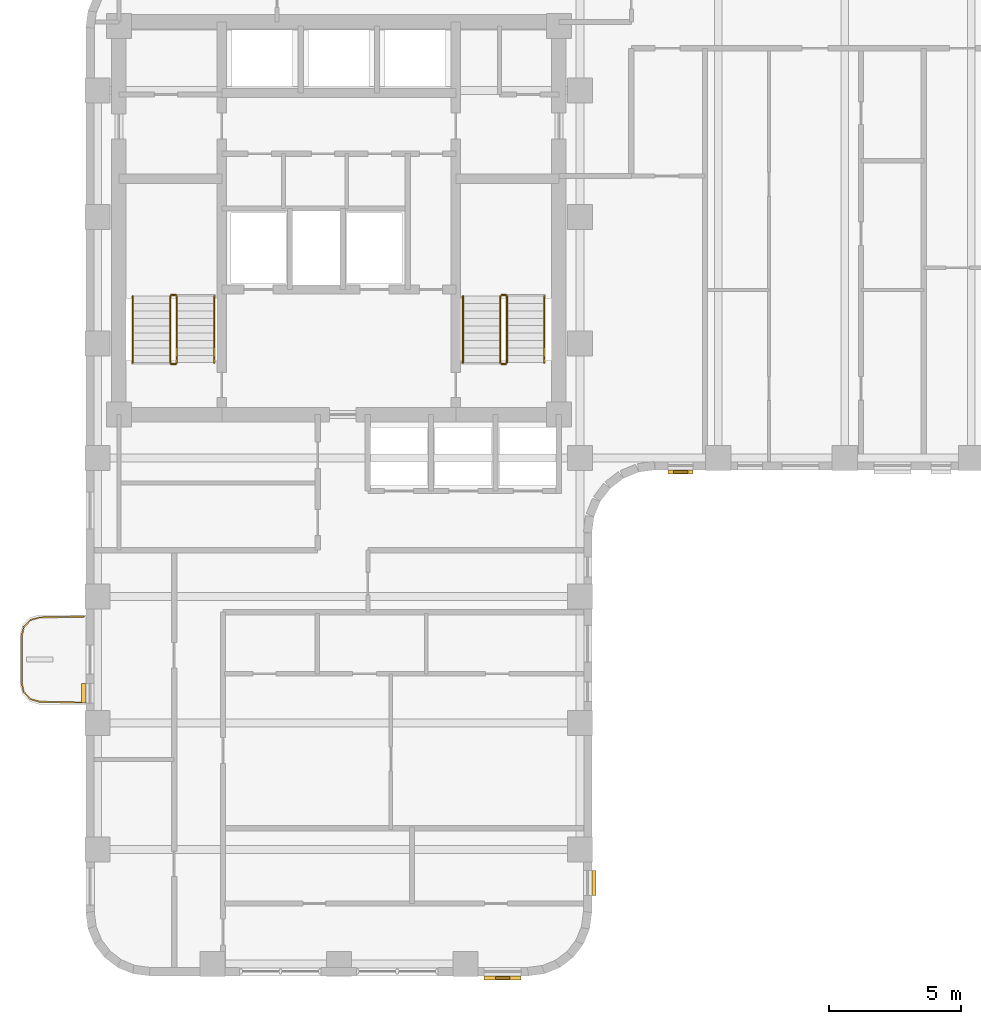
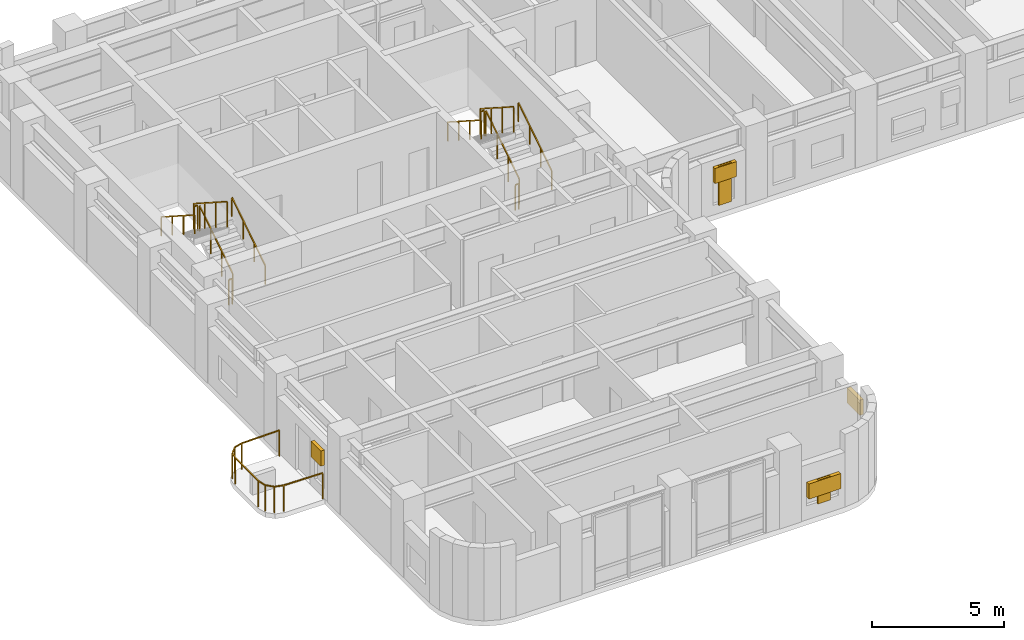
# One storey, part 9 of 11: 13 railings, 6 shading devices.
"""IFC4 building model written with IfcOpenShell, lengths in metres."""

from ifc_helpers import new_model, si_unit, direction, frame, origin, origin_2d, place, context, subcontext, project, spatial, rectangle, extrude, material, type_object, element, save


model = new_model("IFC4")

# Units and contexts
model_context = context("Model", 3, precision=1e-05, world=origin(), true_north=direction((0.0, 1.0)))
body_context = subcontext(model_context, "Body", "Model", "MODEL_VIEW")
ifc_project = project(units=[si_unit("LENGTHUNIT", "METRE"), si_unit("AREAUNIT", "SQUARE_METRE"), si_unit("VOLUMEUNIT", "CUBIC_METRE"), si_unit("PLANEANGLEUNIT", "RADIAN"), si_unit("MASSUNIT", "GRAM", prefix="KILO")], contexts=[model_context])

# Site, building, storey
site_placement = place(None, origin())
site = spatial("IfcSite", under=ifc_project, at=site_placement, CompositionType="ELEMENT")
building_placement = place(site_placement, origin())
building = spatial("IfcBuilding", under=site, at=building_placement, Name="Orvandelia Arch Residences", CompositionType="ELEMENT")
storey_placement = place(building_placement, frame((0.0, 0.0, 146.800048828125)))
storey = spatial("IfcBuildingStorey", under=building, at=storey_placement, Name="L38", CompositionType="ELEMENT", Elevation=146.800048828125)

# Railings
ifc_material_1 = material(Name="Marine-Grade Stainless Steel 316", Category="steel")
railing_type_1 = type_object("IfcRailingType", Name="GRD-BAL-1200", PredefinedType="BALUSTRADE", material=ifc_material_1)
railing_1_placement = place(storey_placement, frame((4.728271484375, 23.23046875, 0.0)))
element("IfcRailing", 1, at=railing_1_placement, inside=storey, type_object=railing_type_1, Name="Safety Balustrade Guard GRD-L38-BAL-L38-W1-1", PredefinedType="BALUSTRADE", context=body_context, shape_type="SweptSolid", body=[
    extrude(rectangle(XDim=0.048095703125, YDim=0.048095703125, at=origin_2d()), frame((0.0, 0.0, 1.19580078125), z_axis=(-0.999834751713, -0.018178813668, 0.0), x_axis=(0.018178813668, -0.999834751713, 0.0)), (0.0, 0.0, 1.0), 1.6787109375),
    extrude(rectangle(XDim=0.048095703125, YDim=0.048095703125, at=origin_2d()), frame((-1.678466796875, -0.030517578125, 1.19580078125), z_axis=(-0.96348920644, -0.267747173792, 0.0), x_axis=(0.267747173792, -0.96348920644, 0.0)), (0.0, 0.0, 1.0), 0.36572265625),
    extrude(rectangle(XDim=0.048095703125, YDim=0.048095703125, at=origin_2d()), frame((-2.03076171875, -0.12841796875, 1.19580078125), z_axis=(-0.688627404251, -0.725115368831, 0.0), x_axis=(0.725115368831, -0.688627404251, 0.0)), (0.0, 0.0, 1.0), 0.367919921875),
    extrude(rectangle(XDim=0.048095703125, YDim=0.048095703125, at=origin_2d()), frame((-2.2841796875, -0.395263671875, 1.19580078125), z_axis=(-0.220461657419, -0.975395641577, 0.0), x_axis=(0.975395641577, -0.220461657419, 0.0)), (0.0, 0.0, 1.0), 0.373291015625),
    extrude(rectangle(XDim=0.048095703125, YDim=0.048095703125, at=origin_2d()), frame((-2.366455078125, -0.75927734375, 1.19580078125), z_axis=(0.0, -1.0, 0.0), x_axis=(1.0, 0.0, 0.0)), (0.0, 0.0, 1.0), 1.742431640625),
    extrude(rectangle(XDim=0.048095703125, YDim=0.048095703125, at=origin_2d()), frame((-2.366455078125, -2.501708984375, 1.19580078125), z_axis=(0.220602419982, -0.975363815352, 0.0), x_axis=(0.975363815352, 0.220602419982, 0.0)), (0.0, 0.0, 1.0), 0.373046875),
    extrude(rectangle(XDim=0.048095703125, YDim=0.048095703125, at=origin_2d()), frame((-2.2841796875, -2.865478515625, 1.19580078125), z_axis=(0.688296224633, -0.725429739642, 0.0), x_axis=(0.725429739642, 0.688296224633, 0.0)), (0.0, 0.0, 1.0), 0.3681640625),
    extrude(rectangle(XDim=0.048095703125, YDim=0.048095703125, at=origin_2d()), frame((-2.03076171875, -3.132568359375, 1.19580078125), z_axis=(0.96348920644, -0.267747173792, 0.0), x_axis=(0.267747173792, 0.96348920644, 0.0)), (0.0, 0.0, 1.0), 0.36572265625),
    extrude(rectangle(XDim=0.048095703125, YDim=0.048095703125, at=origin_2d()), frame((-1.678466796875, -3.23046875, 1.19580078125), z_axis=(0.999834751713, -0.018178813668, 0.0), x_axis=(0.018178813668, 0.999834751713, 0.0)), (0.0, 0.0, 1.0), 1.6787109375),
    extrude(rectangle(XDim=0.0419921875, YDim=0.0419921875, at=origin_2d()), origin(), (0.0, 0.0, 1.0), 1.171875),
    extrude(rectangle(XDim=0.0419921875, YDim=0.0419921875, at=origin_2d()), frame((-1.678466796875, -0.030517578125, 0.0)), (0.0, 0.0, 1.0), 1.171875),
    extrude(rectangle(XDim=0.0419921875, YDim=0.0419921875, at=origin_2d()), frame((-2.03076171875, -0.12841796875, 0.0)), (0.0, 0.0, 1.0), 1.171875),
    extrude(rectangle(XDim=0.0419921875, YDim=0.0419921875, at=origin_2d()), frame((-2.2841796875, -0.395263671875, 0.0)), (0.0, 0.0, 1.0), 1.171875),
    extrude(rectangle(XDim=0.0419921875, YDim=0.0419921875, at=origin_2d()), frame((-2.366455078125, -0.75927734375, 0.0)), (0.0, 0.0, 1.0), 1.171875),
    extrude(rectangle(XDim=0.0419921875, YDim=0.0419921875, at=origin_2d()), frame((-2.366455078125, -2.501708984375, 0.0)), (0.0, 0.0, 1.0), 1.171875),
    extrude(rectangle(XDim=0.0419921875, YDim=0.0419921875, at=origin_2d()), frame((-2.2841796875, -2.865478515625, 0.0)), (0.0, 0.0, 1.0), 1.171875),
    extrude(rectangle(XDim=0.0419921875, YDim=0.0419921875, at=origin_2d()), frame((-2.03076171875, -3.132568359375, 0.0)), (0.0, 0.0, 1.0), 1.171875),
    extrude(rectangle(XDim=0.0419921875, YDim=0.0419921875, at=origin_2d()), frame((-1.678466796875, -3.23046875, 0.0)), (0.0, 0.0, 1.0), 1.171875),
    extrude(rectangle(XDim=0.0419921875, YDim=0.0419921875, at=origin_2d()), frame((0.0, -3.260986328125, 0.0)), (0.0, 0.0, 1.0), 1.171875),
])
ifc_material_2 = material(Name="Brushed Stainless Steel 304", Category="steel")
railing_type_2 = type_object("IfcRailingType", Name="RL-STAIR-GD1120", PredefinedType="GUARDRAIL", material=ifc_material_2)
railing_2_placement = place(storey_placement, frame((8.25, 32.8701171875, 0.179931640625)))
element("IfcRailing", 2, at=railing_2_placement, inside=storey, type_object=railing_type_2, Name="L38 ST-1 stair guard 1", PredefinedType="GUARDRAIL", context=body_context, shape_type="SweptSolid", body=[
    extrude(rectangle(XDim=0.048095703125, YDim=0.048095703125, at=origin_2d()), frame((0.0, 0.0, 1.17578125), z_axis=(0.0, 0.841138753965, 0.540819375188), x_axis=(-1.0, 0.0, 0.0)), (0.0, 0.0, 1.0), 2.99560546875),
    extrude(rectangle(XDim=0.0419921875, YDim=0.0419921875, at=origin_2d()), origin(), (0.0, 0.0, 1.0), 1.15185546875),
    extrude(rectangle(XDim=0.0419921875, YDim=0.0419921875, at=origin_2d()), frame((0.0, 0.83984375, 0.5400390625)), (0.0, 0.0, 1.0), 1.15185546875),
    extrude(rectangle(XDim=0.0419921875, YDim=0.0419921875, at=origin_2d()), frame((0.0, 1.679931640625, 1.080078125)), (0.0, 0.0, 1.0), 1.15185546875),
    extrude(rectangle(XDim=0.0419921875, YDim=0.0419921875, at=origin_2d()), frame((0.0, 2.519775390625, 1.6201171875)), (0.0, 0.0, 1.0), 1.15185546875),
])
railing_3_placement = place(storey_placement, frame((8.199951171875, 35.43994140625, 1.800048828125)))
element("IfcRailing", 3, at=railing_3_placement, inside=storey, type_object=railing_type_2, Name="L38 ST-1 stair guard 2", PredefinedType="GUARDRAIL", context=body_context, shape_type="SweptSolid", body=[
    extrude(rectangle(XDim=0.048095703125, YDim=0.048095703125, at=origin_2d()), frame((0.0, 0.0, 1.17578125), z_axis=(-1.0, 0.0, 0.0), x_axis=(0.0, -1.0, 0.0)), (0.0, 0.0, 1.0), 0.14990234375),
    extrude(rectangle(XDim=0.0419921875, YDim=0.0419921875, at=origin_2d()), origin(), (0.0, 0.0, 1.0), 1.15185546875),
    extrude(rectangle(XDim=0.0419921875, YDim=0.0419921875, at=origin_2d()), frame((-0.14990234375, 0.0, 0.0)), (0.0, 0.0, 1.0), 1.15185546875),
])
railing_4_placement = place(storey_placement, frame((8.0, 35.389892578125, 1.97998046875)))
element("IfcRailing", 4, at=railing_4_placement, inside=storey, type_object=railing_type_2, Name="L38 ST-1 stair guard 3", PredefinedType="GUARDRAIL", context=body_context, shape_type="SweptSolid", body=[
    extrude(rectangle(XDim=0.048095703125, YDim=0.048095703125, at=origin_2d()), frame((0.0, 0.0, 1.17578125), z_axis=(0.0, -0.841175827307, 0.540761710511), x_axis=(1.0, 0.0, 0.0)), (0.0, 0.0, 1.0), 2.99560546875),
    extrude(rectangle(XDim=0.0419921875, YDim=0.0419921875, at=origin_2d()), origin(), (0.0, 0.0, 1.0), 1.15185546875),
    extrude(rectangle(XDim=0.0419921875, YDim=0.0419921875, at=origin_2d()), frame((0.0, -0.83984375, 0.5400390625)), (0.0, 0.0, 1.0), 1.15185546875),
    extrude(rectangle(XDim=0.0419921875, YDim=0.0419921875, at=origin_2d()), frame((0.0, -1.679931640625, 1.079833984375)), (0.0, 0.0, 1.0), 1.15185546875),
    extrude(rectangle(XDim=0.0419921875, YDim=0.0419921875, at=origin_2d()), frame((0.0, -2.519775390625, 1.619873046875)), (0.0, 0.0, 1.0), 1.15185546875),
])
railing_5_placement = place(storey_placement, frame((8.199951171875, 32.820068359375, 0.0)))
element("IfcRailing", 5, at=railing_5_placement, inside=storey, type_object=railing_type_2, Name="L38 ST-1 stair guard 4", PredefinedType="GUARDRAIL", context=body_context, shape_type="SweptSolid", body=[
    extrude(rectangle(XDim=0.048095703125, YDim=0.048095703125, at=origin_2d()), frame((0.0, 0.0, 1.17578125), z_axis=(-1.0, 0.0, 0.0), x_axis=(0.0, -1.0, 0.0)), (0.0, 0.0, 1.0), 0.14990234375),
    extrude(rectangle(XDim=0.0419921875, YDim=0.0419921875, at=origin_2d()), origin(), (0.0, 0.0, 1.0), 1.15185546875),
    extrude(rectangle(XDim=0.0419921875, YDim=0.0419921875, at=origin_2d()), frame((-0.14990234375, 0.0, 0.0)), (0.0, 0.0, 1.0), 1.15185546875),
])
railing_6_placement = place(storey_placement, frame((20.780029296875, 32.8701171875, 0.179931640625)))
element("IfcRailing", 6, at=railing_6_placement, inside=storey, type_object=railing_type_2, Name="L38 ST-2 stair guard 1", PredefinedType="GUARDRAIL", context=body_context, shape_type="SweptSolid", body=[
    extrude(rectangle(XDim=0.048095703125, YDim=0.048095703125, at=origin_2d()), frame((0.0, 0.0, 1.17578125), z_axis=(0.0, 0.841138753965, 0.540819375188), x_axis=(-1.0, 0.0, 0.0)), (0.0, 0.0, 1.0), 2.99560546875),
    extrude(rectangle(XDim=0.0419921875, YDim=0.0419921875, at=origin_2d()), origin(), (0.0, 0.0, 1.0), 1.15185546875),
    extrude(rectangle(XDim=0.0419921875, YDim=0.0419921875, at=origin_2d()), frame((0.0, 0.83984375, 0.5400390625)), (0.0, 0.0, 1.0), 1.15185546875),
    extrude(rectangle(XDim=0.0419921875, YDim=0.0419921875, at=origin_2d()), frame((0.0, 1.679931640625, 1.080078125)), (0.0, 0.0, 1.0), 1.15185546875),
    extrude(rectangle(XDim=0.0419921875, YDim=0.0419921875, at=origin_2d()), frame((0.0, 2.519775390625, 1.6201171875)), (0.0, 0.0, 1.0), 1.15185546875),
])
railing_7_placement = place(storey_placement, frame((20.72998046875, 35.43994140625, 1.800048828125)))
element("IfcRailing", 7, at=railing_7_placement, inside=storey, type_object=railing_type_2, Name="L38 ST-2 stair guard 2", PredefinedType="GUARDRAIL", context=body_context, shape_type="SweptSolid", body=[
    extrude(rectangle(XDim=0.048095703125, YDim=0.048095703125, at=origin_2d()), frame((0.0, 0.0, 1.17578125), z_axis=(-1.0, 0.0, 0.0), x_axis=(0.0, -1.0, 0.0)), (0.0, 0.0, 1.0), 0.14990234375),
    extrude(rectangle(XDim=0.0419921875, YDim=0.0419921875, at=origin_2d()), origin(), (0.0, 0.0, 1.0), 1.15185546875),
    extrude(rectangle(XDim=0.0419921875, YDim=0.0419921875, at=origin_2d()), frame((-0.14990234375, 0.0, 0.0)), (0.0, 0.0, 1.0), 1.15185546875),
])
railing_8_placement = place(storey_placement, frame((20.530029296875, 35.389892578125, 1.97998046875)))
element("IfcRailing", 8, at=railing_8_placement, inside=storey, type_object=railing_type_2, Name="L38 ST-2 stair guard 3", PredefinedType="GUARDRAIL", context=body_context, shape_type="SweptSolid", body=[
    extrude(rectangle(XDim=0.048095703125, YDim=0.048095703125, at=origin_2d()), frame((0.0, 0.0, 1.17578125), z_axis=(0.0, -0.841175827307, 0.540761710511), x_axis=(1.0, 0.0, 0.0)), (0.0, 0.0, 1.0), 2.99560546875),
    extrude(rectangle(XDim=0.0419921875, YDim=0.0419921875, at=origin_2d()), origin(), (0.0, 0.0, 1.0), 1.15185546875),
    extrude(rectangle(XDim=0.0419921875, YDim=0.0419921875, at=origin_2d()), frame((0.0, -0.83984375, 0.5400390625)), (0.0, 0.0, 1.0), 1.15185546875),
    extrude(rectangle(XDim=0.0419921875, YDim=0.0419921875, at=origin_2d()), frame((0.0, -1.679931640625, 1.079833984375)), (0.0, 0.0, 1.0), 1.15185546875),
    extrude(rectangle(XDim=0.0419921875, YDim=0.0419921875, at=origin_2d()), frame((0.0, -2.519775390625, 1.619873046875)), (0.0, 0.0, 1.0), 1.15185546875),
])
railing_9_placement = place(storey_placement, frame((20.72998046875, 32.820068359375, 0.0)))
element("IfcRailing", 9, at=railing_9_placement, inside=storey, type_object=railing_type_2, Name="L38 ST-2 stair guard 4", PredefinedType="GUARDRAIL", context=body_context, shape_type="SweptSolid", body=[
    extrude(rectangle(XDim=0.048095703125, YDim=0.048095703125, at=origin_2d()), frame((0.0, 0.0, 1.17578125), z_axis=(-1.0, 0.0, 0.0), x_axis=(0.0, -1.0, 0.0)), (0.0, 0.0, 1.0), 0.14990234375),
    extrude(rectangle(XDim=0.0419921875, YDim=0.0419921875, at=origin_2d()), origin(), (0.0, 0.0, 1.0), 1.15185546875),
    extrude(rectangle(XDim=0.0419921875, YDim=0.0419921875, at=origin_2d()), frame((-0.14990234375, 0.0, 0.0)), (0.0, 0.0, 1.0), 1.15185546875),
])
railing_type_3 = type_object("IfcRailingType", Name="RL-STAIR-HR920", PredefinedType="HANDRAIL", material=ifc_material_2)
railing_10_placement = place(storey_placement, frame((9.669921875, 32.8701171875, 0.35986328125)))
element("IfcRailing", 10, at=railing_10_placement, inside=storey, type_object=railing_type_3, Name="L38 ST-1 stair handrail 1", PredefinedType="HANDRAIL", context=body_context, shape_type="SweptSolid", body=[
    extrude(rectangle(XDim=0.048095703125, YDim=0.048095703125, at=origin_2d()), frame((0.0, 0.0, 0.8759765625), z_axis=(0.0, 0.841138753965, 0.540819375188), x_axis=(-1.0, 0.0, 0.0)), (0.0, 0.0, 1.0), 2.99560546875),
    extrude(rectangle(XDim=0.0419921875, YDim=0.0419921875, at=origin_2d()), origin(), (0.0, 0.0, 1.0), 0.851806640625),
    extrude(rectangle(XDim=0.0419921875, YDim=0.0419921875, at=origin_2d()), frame((0.0, 0.83984375, 0.5400390625)), (0.0, 0.0, 1.0), 0.851806640625),
    extrude(rectangle(XDim=0.0419921875, YDim=0.0419921875, at=origin_2d()), frame((0.0, 1.679931640625, 1.080078125)), (0.0, 0.0, 1.0), 0.851806640625),
    extrude(rectangle(XDim=0.0419921875, YDim=0.0419921875, at=origin_2d()), frame((0.0, 2.519775390625, 1.6201171875)), (0.0, 0.0, 1.0), 0.851806640625),
])
railing_11_placement = place(storey_placement, frame((6.580078125, 35.389892578125, 2.159912109375)))
element("IfcRailing", 11, at=railing_11_placement, inside=storey, type_object=railing_type_3, Name="L38 ST-1 stair handrail 2", PredefinedType="HANDRAIL", context=body_context, shape_type="SweptSolid", body=[
    extrude(rectangle(XDim=0.048095703125, YDim=0.048095703125, at=origin_2d()), frame((0.0, 0.0, 0.8759765625), z_axis=(0.0, -0.841138753965, 0.540819375188), x_axis=(1.0, 0.0, 0.0)), (0.0, 0.0, 1.0), 2.99560546875),
    extrude(rectangle(XDim=0.0419921875, YDim=0.0419921875, at=origin_2d()), origin(), (0.0, 0.0, 1.0), 0.851806640625),
    extrude(rectangle(XDim=0.0419921875, YDim=0.0419921875, at=origin_2d()), frame((0.0, -0.83984375, 0.5400390625)), (0.0, 0.0, 1.0), 0.851806640625),
    extrude(rectangle(XDim=0.0419921875, YDim=0.0419921875, at=origin_2d()), frame((0.0, -1.679931640625, 1.080078125)), (0.0, 0.0, 1.0), 0.851806640625),
    extrude(rectangle(XDim=0.0419921875, YDim=0.0419921875, at=origin_2d()), frame((0.0, -2.519775390625, 1.6201171875)), (0.0, 0.0, 1.0), 0.851806640625),
])
railing_12_placement = place(storey_placement, frame((22.199951171875, 32.8701171875, 0.35986328125)))
element("IfcRailing", 12, at=railing_12_placement, inside=storey, type_object=railing_type_3, Name="L38 ST-2 stair handrail 1", PredefinedType="HANDRAIL", context=body_context, shape_type="SweptSolid", body=[
    extrude(rectangle(XDim=0.048095703125, YDim=0.048095703125, at=origin_2d()), frame((0.0, 0.0, 0.8759765625), z_axis=(0.0, 0.841138753965, 0.540819375188), x_axis=(-1.0, 0.0, 0.0)), (0.0, 0.0, 1.0), 2.99560546875),
    extrude(rectangle(XDim=0.0419921875, YDim=0.0419921875, at=origin_2d()), origin(), (0.0, 0.0, 1.0), 0.851806640625),
    extrude(rectangle(XDim=0.0419921875, YDim=0.0419921875, at=origin_2d()), frame((0.0, 0.83984375, 0.5400390625)), (0.0, 0.0, 1.0), 0.851806640625),
    extrude(rectangle(XDim=0.0419921875, YDim=0.0419921875, at=origin_2d()), frame((0.0, 1.679931640625, 1.080078125)), (0.0, 0.0, 1.0), 0.851806640625),
    extrude(rectangle(XDim=0.0419921875, YDim=0.0419921875, at=origin_2d()), frame((0.0, 2.519775390625, 1.6201171875)), (0.0, 0.0, 1.0), 0.851806640625),
])
railing_13_placement = place(storey_placement, frame((19.110107421875, 35.389892578125, 2.159912109375)))
element("IfcRailing", 13, at=railing_13_placement, inside=storey, type_object=railing_type_3, Name="L38 ST-2 stair handrail 2", PredefinedType="HANDRAIL", context=body_context, shape_type="SweptSolid", body=[
    extrude(rectangle(XDim=0.048095703125, YDim=0.048095703125, at=origin_2d()), frame((0.0, 0.0, 0.8759765625), z_axis=(0.0, -0.841138753965, 0.540819375188), x_axis=(1.0, 0.0, 0.0)), (0.0, 0.0, 1.0), 2.99560546875),
    extrude(rectangle(XDim=0.0419921875, YDim=0.0419921875, at=origin_2d()), origin(), (0.0, 0.0, 1.0), 0.851806640625),
    extrude(rectangle(XDim=0.0419921875, YDim=0.0419921875, at=origin_2d()), frame((0.0, -0.83984375, 0.5400390625)), (0.0, 0.0, 1.0), 0.851806640625),
    extrude(rectangle(XDim=0.0419921875, YDim=0.0419921875, at=origin_2d()), frame((0.0, -1.679931640625, 1.080078125)), (0.0, 0.0, 1.0), 0.851806640625),
    extrude(rectangle(XDim=0.0419921875, YDim=0.0419921875, at=origin_2d()), frame((0.0, -2.519775390625, 1.6201171875)), (0.0, 0.0, 1.0), 0.851806640625),
])

# Shading devices
ifc_material_3 = material(Name="Anodised Champagne-Bronze Extruded Aluminium", Category="aluminium")
shading_device_type_1 = type_object("IfcShadingDeviceType", Name="SHD-JALOUSIE-SCREEN", PredefinedType="JALOUSIE", material=ifc_material_3)
for number, where, z_axis, x_axis, name in (
    (14, (27.3701171875, 28.719970703125, 1.5498046875), (0.0, 0.0, 1.0), (-1.0, 0.0, 0.0), "Bronze Jalousie Sun-Shade L38-003"),
    (15, (24.080078125, 13.12353515625, 1.5498046875), (0.0, 0.0, 1.0), (0.0, -1.0, 0.0), "Bronze Jalousie Sun-Shade L38-005"),
):
    element("IfcShadingDevice", number, at=place(storey_placement, frame(where, z_axis=z_axis, x_axis=x_axis)), inside=storey, type_object=shading_device_type_1, Name=name, PredefinedType="JALOUSIE", context=body_context, shape_type="SweptSolid", body=[
        extrude(rectangle(XDim=0.949951171875, YDim=0.159912109375, at=origin_2d()), origin(), (0.0, 0.0, 1.0), 0.699951171875),
    ])
shading_device_1_placement = place(storey_placement, frame((20.617431640625, 9.52001953125, 1.0498046875), z_axis=(0.0, 0.0, 1.0), x_axis=(-1.0, 0.0, 0.0)))
element("IfcShadingDevice", 16, at=shading_device_1_placement, inside=storey, type_object=shading_device_type_1, Name="Bronze Jalousie Sun-Shade L38-006", PredefinedType="JALOUSIE", context=body_context, shape_type="SweptSolid", body=[
    extrude(rectangle(XDim=1.39990234375, YDim=0.159912109375, at=origin_2d()), origin(), (0.0, 0.0, 1.0), 0.699951171875),
])
shading_device_2_placement = place(storey_placement, frame((4.719970703125, 20.322509765625, 1.5498046875), z_axis=(0.0, 0.0, 1.0), x_axis=(0.0, 1.0, 0.0)))
element("IfcShadingDevice", 17, at=shading_device_2_placement, inside=storey, type_object=shading_device_type_1, Name="Bronze Jalousie Sun-Shade L38-007", PredefinedType="JALOUSIE", context=body_context, shape_type="SweptSolid", body=[
    extrude(rectangle(XDim=0.75, YDim=0.159912109375, at=origin_2d()), origin(), (0.0, 0.0, 1.0), 0.699951171875),
])
ifc_material_4 = material(Name="Marine-Grade Perforated Aluminium Storm Shutter", Category="aluminium")
shading_device_type_2 = type_object("IfcShadingDeviceType", Name="SHD-STORM-SHUTTER", PredefinedType="SHUTTER", material=ifc_material_4)
shading_device_3_placement = place(storey_placement, frame((27.3701171875, 28.719970703125, 0.44970703125), z_axis=(0.0, 0.0, 1.0), x_axis=(-1.0, 0.0, 0.0)))
element("IfcShadingDevice", 18, at=shading_device_3_placement, inside=storey, type_object=shading_device_type_2, Name="Operable Typhoon Storm Shutter L38-003", PredefinedType="SHUTTER", context=body_context, shape_type="SweptSolid", body=[
    extrude(rectangle(XDim=0.550048828125, YDim=0.080078125, at=origin_2d()), origin(), (0.0, 0.0, 1.0), 1.800048828125),
])
shading_device_4_placement = place(storey_placement, frame((20.617431640625, 9.52001953125, 0.64990234375), z_axis=(0.0, 0.0, 1.0), x_axis=(-1.0, 0.0, 0.0)))
element("IfcShadingDevice", 19, at=shading_device_4_placement, inside=storey, type_object=shading_device_type_2, Name="Operable Typhoon Storm Shutter L38-006", PredefinedType="SHUTTER", context=body_context, shape_type="SweptSolid", body=[
    extrude(rectangle(XDim=0.550048828125, YDim=0.080078125, at=origin_2d()), origin(), (0.0, 0.0, 1.0), 1.10009765625),
])

save(model, "model.ifc")
